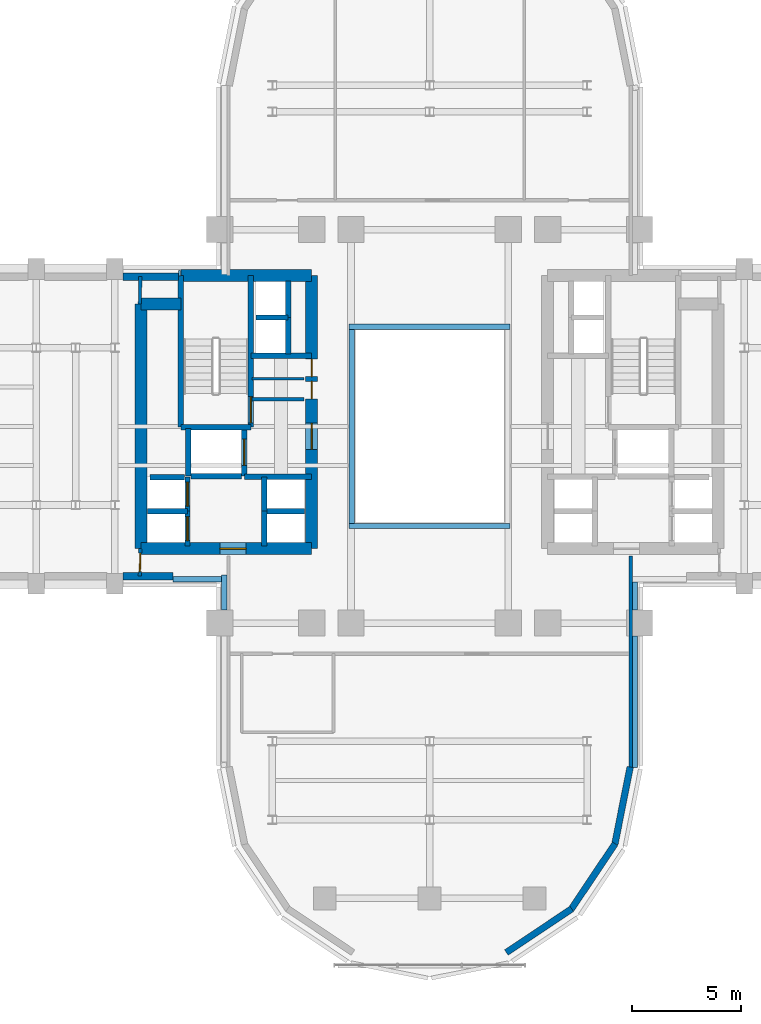
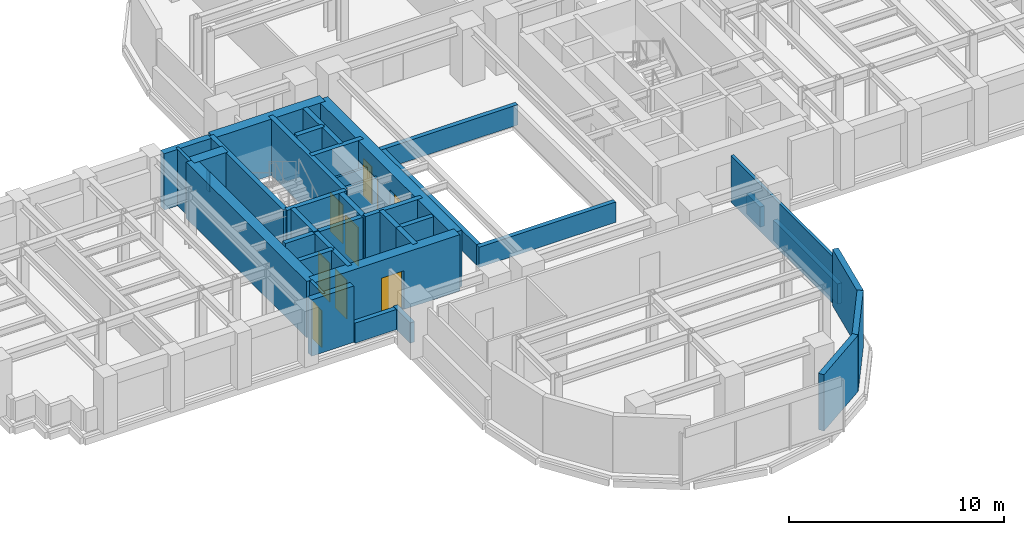
# One storey, part 9 of 14: 41 walls, 9 doors, 9 openings.
"""IFC4 building model written with IfcOpenShell, lengths in metres."""

from ifc_helpers import new_model, si_unit, direction, frame, frame_2d, origin, place, context, subcontext, project, spatial, rectangle, extrude, source, transform, mapped, material, layer, layer_set, type_object, element, fill, save


model = new_model("IFC4")

# Units and contexts
model_context = context("Model", 3, precision=1e-05, world=origin(), true_north=direction((0.0, 1.0)))
body_context = subcontext(model_context, "Body", "Model", "MODEL_VIEW")
ifc_project = project(units=[si_unit("LENGTHUNIT", "METRE"), si_unit("AREAUNIT", "SQUARE_METRE"), si_unit("VOLUMEUNIT", "CUBIC_METRE"), si_unit("PLANEANGLEUNIT", "RADIAN"), si_unit("MASSUNIT", "GRAM", prefix="KILO")], contexts=[model_context])

# Site, building, storey
site_placement = place(None, origin())
site = spatial("IfcSite", under=ifc_project, at=site_placement, CompositionType="ELEMENT")
building_placement = place(site_placement, origin())
building = spatial("IfcBuilding", under=site, at=building_placement, Name="Keilestroom Media Tower", CompositionType="ELEMENT")
storey_placement = place(building_placement, frame((0.0, 0.0, 44.199951171875)))
storey = spatial("IfcBuildingStorey", under=building, at=storey_placement, Name="L10", CompositionType="ELEMENT", Elevation=44.199951171875)

# Walls
ifc_material_1 = material(Name="Precast concrete C40/50", Category="concrete")
ifc_layer_1 = layer(ifc_material_1, 0.300048828125)
ifc_layer_set_1 = layer_set([ifc_layer_1], Name="Precast concrete C40/50")
wall_type_1 = type_object("IfcWallType", Name="Exterior-Masonry-Spandrel-Wall-300", PredefinedType="SOLIDWALL", material=ifc_layer_set_1)
wall_1_placement = place(storey_placement, frame((3.510009765625, -24.073486328125, 0.0), z_axis=(0.0, 0.0, 1.0), x_axis=(0.8314749531, 0.555562239868, 0.0)))
element("IfcWall", 1, at=wall_1_placement, inside=storey, type_object=wall_type_1, Name="L10 Lobe Facet Precast Frame Wall 10", PredefinedType="SOLIDWALL", context=body_context, shape_type="SweptSolid", body=[
    extrude(rectangle(XDim=3.59326171875, YDim=0.300048828125, at=frame_2d((1.796630859375, 0.0))), origin(), (0.0, 0.0, 1.0), 3.199951171875),
])
for number, where, z_axis, x_axis, name in (
    (2, (6.47705078125, -22.097900390625, 0.0), (0.0, 0.0, 1.0), (0.555574187116, 0.831466970246, 0.0), "L10 Lobe Facet Precast Frame Wall 11"),
    (3, (8.470703125, -19.12451171875, 0.0), (0.0, 0.0, 1.0), (0.195114232679, 0.980780523974, 0.0), "L10 Lobe Facet Precast Frame Wall 12"),
):
    element("IfcWall", number, at=place(storey_placement, frame(where, z_axis=z_axis, x_axis=x_axis)), inside=storey, type_object=wall_type_1, Name=name, PredefinedType="SOLIDWALL", context=body_context, shape_type="SweptSolid", body=[
        extrude(rectangle(XDim=3.608642578125, YDim=0.300048828125, at=frame_2d((1.80419921875, 0.0))), origin(), (0.0, 0.0, 1.0), 3.199951171875),
    ])
ifc_layer_2 = layer(ifc_material_1, 0.340087890625)
ifc_layer_set_2 = layer_set([ifc_layer_2], Name="Precast concrete C40/50")
wall_type_2 = type_object("IfcWallType", Name="Exterior-Masonry-Spandrel-Wall-340", PredefinedType="SOLIDWALL", material=ifc_layer_set_2)
wall_2_placement = place(storey_placement, frame((-14.032958984375, 6.85009765625, 0.0), z_axis=(0.0, 0.0, 1.0), x_axis=(1.0, 0.0, 0.0)))
element("IfcWall", 4, at=wall_2_placement, inside=storey, type_object=wall_type_2, Name="L10 Flank Masonry Wall EWL-L10-NW-4", PredefinedType="SOLIDWALL", context=body_context, shape_type="SweptSolid", body=[
    extrude(rectangle(XDim=2.534912109375, YDim=0.340087890625, at=frame_2d((1.267578125, 0.0))), origin(), (0.0, 0.0, 1.0), 3.199951171875),
])
wall_3_placement = place(storey_placement, frame((-14.032958984375, -6.85009765625, 0.0), z_axis=(0.0, 0.0, 1.0), x_axis=(1.0, 0.0, 0.0)))
element("IfcWall", 5, at=wall_3_placement, inside=storey, type_object=wall_type_2, Name="L10 Flank Masonry Wall EWL-L10-SW-4", PredefinedType="SOLIDWALL", context=body_context, shape_type="SweptSolid", body=[
    extrude(rectangle(XDim=2.282958984375, YDim=0.340087890625, at=frame_2d((1.1416015625, 0.0))), origin(), (0.0, 0.0, 1.0), 3.199951171875),
])
ifc_material_2 = material(Name="Gypsum Plasterboard & Steel Stud", Category="steel")
ifc_layer_3 = layer(ifc_material_2, 0.1201171875)
ifc_layer_set_3 = layer_set([ifc_layer_3], Name="Gypsum Plasterboard & Steel Stud")
wall_type_3 = type_object("IfcWallType", Name="Interior-Partition-Wall-120", PredefinedType="PARTITIONING", material=ifc_layer_set_3)
wall_4_placement = place(storey_placement, frame((-8.139892578125, 2.179931640625, 0.0), z_axis=(0.0, 0.0, 1.0), x_axis=(1.0, 0.0, 0.0)))
element("IfcWall", 6, at=wall_4_placement, inside=storey, type_object=wall_type_3, Name="L10 Interior Wall WP-L10-CNW-N", PredefinedType="PARTITIONING", context=body_context, shape_type="SweptSolid", body=[
    extrude(rectangle(XDim=2.389892578125, YDim=0.1201171875, at=frame_2d((1.19482421875, 0.0))), origin(), (0.0, 0.0, 1.0), 2.300048828125),
])
ifc_layer_4 = layer(ifc_material_2, 0.14990234375)
ifc_layer_set_4 = layer_set([ifc_layer_4], Name="Gypsum Plasterboard & Steel Stud")
wall_type_4 = type_object("IfcWallType", Name="Interior-Partition-Wall-150", PredefinedType="PARTITIONING", material=ifc_layer_set_4)
wall_5_placement = place(storey_placement, frame((-8.139892578125, 1.239990234375, 0.0), z_axis=(0.0, 0.0, 1.0), x_axis=(1.0, 0.0, 0.0)))
element("IfcWall", 7, at=wall_5_placement, inside=storey, type_object=wall_type_4, Name="L10 Interior Wall WP-L10-FFW-TOP", PredefinedType="PARTITIONING", context=body_context, shape_type="SweptSolid", body=[
    extrude(rectangle(XDim=2.389892578125, YDim=0.14990234375, at=frame_2d((1.19482421875, 0.0))), origin(), (0.0, 0.0, 1.0), 2.300048828125),
])
wall_6_placement = place(storey_placement, frame((9.199951171875, -15.679931640625, 0.0), z_axis=(0.0, 0.0, 1.0), x_axis=(0.0, 1.0, 0.0)))
element("IfcWall", 8, at=wall_6_placement, inside=storey, type_object=wall_type_4, Name="L10 Interior Wall WP-L10-SL-CHKE", PredefinedType="PARTITIONING", context=body_context, shape_type="SweptSolid", body=[
    extrude(rectangle(XDim=9.739990234375, YDim=0.14990234375, at=frame_2d((4.8701171875, 0.0))), origin(), (0.0, 0.0, 1.0), 2.650146484375),
])
wall_7_placement = place(storey_placement, frame((-13.260009765625, 5.60009765625, 0.0), z_axis=(0.0, 0.0, 1.0), x_axis=(0.016013571389, 0.999871774545, 0.0)))
element("IfcWall", 9, at=wall_7_placement, inside=storey, type_object=wall_type_4, Name="L10 Interior Wall WP-L10-WA-ENTN", PredefinedType="PARTITIONING", context=body_context, shape_type="SweptSolid", body=[
    extrude(rectangle(XDim=1.250244140625, YDim=0.14990234375, at=frame_2d((0.625, 0.0))), origin(), (0.0, 0.0, 1.0), 3.199951171875),
])

# Wall, opening, door
wall_8_placement = place(storey_placement, frame((-13.260009765625, -6.85009765625, 0.0), z_axis=(0.0, 0.0, 1.0), x_axis=(0.016013571389, 0.999871774545, 0.0)))
wall_8 = element("IfcWall", 10, at=wall_8_placement, inside=storey, type_object=wall_type_4, Name="L10 Interior Wall WP-L10-WA-ENTS", PredefinedType="PARTITIONING", context=body_context, shape_type="SweptSolid", body=[
    extrude(rectangle(XDim=1.250244140625, YDim=0.14990234375, at=frame_2d((0.625, 0.0))), origin(), (0.0, 0.0, 1.0), 3.199951171875),
])
opening_1_placement = place(wall_8_placement, frame((0.199951171875, 0.0, 0.0)))
opening_1 = element("IfcOpeningElement", 11, at=opening_1_placement, cuts=wall_8, Name="Opening DI-05", PredefinedType="OPENING", context=body_context, shape_type="SweptSolid", body=[
    extrude(rectangle(XDim=0.85009765625, YDim=2.10009765625, at=frame_2d((0.425048828125, 1.050048828125))), frame((0.0, 0.0849609375, 0.0), z_axis=(0.0, -1.0, 0.0), x_axis=(1.0, 0.0, 0.0)), (0.0, 0.0, 1.0), 0.169921875),
])
ifc_material_3 = material(Name="Moisture-Resistant Oak Leaf", Category="wood")
door_type_1 = type_object("IfcDoorType", Name="Interior-En-Suite-And-Cupboard-Door-DI-05", OperationType="NOTDEFINED", PredefinedType="DOOR", material=ifc_material_3)
shared_shape_1 = source(origin(), body_context, "Body", "SweptSolid", [
    extrude(rectangle(XDim=0.85009765625, YDim=2.10009765625, at=frame_2d((0.425048828125, 1.050048828125))), frame((0.0, 0.02490234375, 0.0), z_axis=(0.0, -1.0, 0.0), x_axis=(1.0, 0.0, 0.0)), (0.0, 0.0, 1.0), 0.050048828125),
])
door_1_placement = place(opening_1_placement, origin())
door_1 = element("IfcDoor", 12, at=door_1_placement, inside=storey, type_object=door_type_1, Name="L10 Interior Door DI-L10-DWA-E", OperationType="SINGLE_SWING_RIGHT", OverallHeight=2.10009765625, OverallWidth=0.85009765625, PredefinedType="DOOR", context=body_context, shape_type="MappedRepresentation", body=[
    mapped(shared_shape_1, transform((0.0, 0.0, 0.0), x_axis=(1.0, 0.0, 0.0), y_axis=(0.0, 1.0, 0.0), z_axis=(0.0, 0.0, 1.0), scale=1.0)),
])
fill(opening_1, door_1)

# Wall
ifc_material_4 = material(Name="Concrete C70/85", Category="concrete")
ifc_layer_5 = layer(ifc_material_4, 0.550048828125)
ifc_layer_set_5 = layer_set([ifc_layer_5], Name="Concrete C70/85")
wall_type_5 = type_object("IfcWallType", Name="Reinforced-Concrete-Core-Shear-Wall-550", PredefinedType="SHEAR", material=ifc_layer_set_5)
wall_9_placement = place(storey_placement, frame((-13.199951171875, -5.60009765625, 0.0), z_axis=(0.0, 0.0, 1.0), x_axis=(0.0, 1.0, 0.0)))
element("IfcWall", 13, at=wall_9_placement, inside=storey, type_object=wall_type_5, Name="L10 Core Shear Wall WL-L10-CORE-W-OUT", PredefinedType="SHEAR", context=body_context, shape_type="SweptSolid", body=[
    extrude(rectangle(XDim=11.2001953125, YDim=0.550048828125, at=frame_2d((5.60009765625, 0.0))), origin(), (0.0, 0.0, 1.0), 3.199951171875),
])

# Wall, openings, doors
wall_10_placement = place(storey_placement, frame((-5.39990234375, -5.60009765625, 0.0), z_axis=(0.0, 0.0, 1.0), x_axis=(0.0, 1.0, 0.0)))
wall_10 = element("IfcWall", 14, at=wall_10_placement, inside=storey, type_object=wall_type_5, Name="L10 Core Shear Wall WL-L10-CORE-W-IN", PredefinedType="SHEAR", context=body_context, shape_type="SweptSolid", body=[
    extrude(rectangle(XDim=12.5, YDim=0.550048828125, at=frame_2d((6.25, 0.0))), origin(), (0.0, 0.0, 1.0), 3.199951171875),
])
opening_2_placement = place(wall_10_placement, frame((4.550048828125, 0.0, 0.0)))
opening_2 = element("IfcOpeningElement", 15, at=opening_2_placement, cuts=wall_10, Name="Opening DI-02", PredefinedType="OPENING", context=body_context, shape_type="SweptSolid", body=[
    extrude(rectangle(XDim=1.199951171875, YDim=2.199951171875, at=frame_2d((0.60009765625, 1.10009765625))), frame((0.0, 0.28515625, 0.0), z_axis=(0.0, -1.0, 0.0), x_axis=(1.0, 0.0, 0.0)), (0.0, 0.0, 1.0), 0.570068359375),
])
opening_3_placement = place(wall_10_placement, frame((6.860107421875, 0.0, 0.0)))
opening_3 = element("IfcOpeningElement", 16, at=opening_3_placement, cuts=wall_10, Name="Opening DI-06", PredefinedType="OPENING", context=body_context, shape_type="SweptSolid", body=[
    extrude(rectangle(XDim=0.800048828125, YDim=2.10009765625, at=frame_2d((0.39990234375, 1.050048828125))), frame((0.0, 0.28515625, 0.0), z_axis=(0.0, -1.0, 0.0), x_axis=(1.0, 0.0, 0.0)), (0.0, 0.0, 1.0), 0.570068359375),
])
opening_4_placement = place(wall_10_placement, frame((7.8798828125, 0.0, 0.0)))
opening_4 = element("IfcOpeningElement", 17, at=opening_4_placement, cuts=wall_10, Name="Opening DI-06", PredefinedType="OPENING", context=body_context, shape_type="SweptSolid", body=[
    extrude(rectangle(XDim=0.800048828125, YDim=2.10009765625, at=frame_2d((0.39990234375, 1.050048828125))), frame((0.0, 0.28515625, 0.0), z_axis=(0.0, -1.0, 0.0), x_axis=(1.0, 0.0, 0.0)), (0.0, 0.0, 1.0), 0.570068359375),
])
ifc_material_5 = material(Name="Powder-Coated Steel Fire Leaf", Category="steel")
door_type_2 = type_object("IfcDoorType", Name="Interior-Compartment-Fire-Door-DI-02", OperationType="NOTDEFINED", PredefinedType="DOOR", material=ifc_material_5)
shared_shape_2 = source(origin(), body_context, "Body", "SweptSolid", [
    extrude(rectangle(XDim=1.199951171875, YDim=2.199951171875, at=frame_2d((0.60009765625, 1.10009765625))), frame((0.0, 0.02490234375, 0.0), z_axis=(0.0, -1.0, 0.0), x_axis=(1.0, 0.0, 0.0)), (0.0, 0.0, 1.0), 0.050048828125),
])
door_2_placement = place(opening_2_placement, origin())
door_2 = element("IfcDoor", 18, at=door_2_placement, inside=storey, type_object=door_type_2, Name="L10 W Firefighting Lobby Door", OperationType="SINGLE_SWING_RIGHT", OverallHeight=2.199951171875, OverallWidth=1.199951171875, PredefinedType="DOOR", context=body_context, shape_type="MappedRepresentation", body=[
    mapped(shared_shape_2, transform((0.0, 0.0, 0.0), x_axis=(1.0, 0.0, 0.0), y_axis=(0.0, 1.0, 0.0), z_axis=(0.0, 0.0, 1.0), scale=1.0)),
])
fill(opening_2, door_2)
ifc_material_6 = material(Name="Powder-Coated Steel Service Leaf", Category="steel")
door_type_3 = type_object("IfcDoorType", Name="Interior-Riser-Access-Door-DI-06", OperationType="NOTDEFINED", PredefinedType="DOOR", material=ifc_material_6)
shared_shape_3 = source(origin(), body_context, "Body", "SweptSolid", [
    extrude(rectangle(XDim=0.800048828125, YDim=2.10009765625, at=frame_2d((0.39990234375, 1.050048828125))), frame((0.0, 0.02490234375, 0.0), z_axis=(0.0, -1.0, 0.0), x_axis=(1.0, 0.0, 0.0)), (0.0, 0.0, 1.0), 0.050048828125),
])
door_3_placement = place(opening_3_placement, origin())
door_3 = element("IfcDoor", 19, at=door_3_placement, inside=storey, type_object=door_type_3, Name="L10 West Core Switchroom Door", OperationType="SINGLE_SWING_LEFT", OverallHeight=2.10009765625, OverallWidth=0.800048828125, PredefinedType="DOOR", context=body_context, shape_type="MappedRepresentation", body=[
    mapped(shared_shape_3, transform((0.0, 0.0, 0.0), x_axis=(1.0, 0.0, 0.0), y_axis=(0.0, 1.0, 0.0), z_axis=(0.0, 0.0, 1.0), scale=1.0)),
])
fill(opening_3, door_3)
door_4_placement = place(opening_4_placement, origin())
door_4 = element("IfcDoor", 20, at=door_4_placement, inside=storey, type_object=door_type_3, Name="L10 West Core Closet Door", OperationType="SINGLE_SWING_LEFT", OverallHeight=2.10009765625, OverallWidth=0.800048828125, PredefinedType="DOOR", context=body_context, shape_type="MappedRepresentation", body=[
    mapped(shared_shape_3, transform((0.0, 0.0, 0.0), x_axis=(1.0, 0.0, 0.0), y_axis=(0.0, 1.0, 0.0), z_axis=(0.0, 0.0, 1.0), scale=1.0)),
])
fill(opening_4, door_4)

# Walls
wall_11_placement = place(storey_placement, frame((-11.381103515625, 6.89990234375, 0.0), z_axis=(0.0, 0.0, 1.0), x_axis=(1.0, 0.0, 0.0)))
element("IfcWall", 21, at=wall_11_placement, inside=storey, type_object=wall_type_5, Name="L10 Core Shear Wall WL-L10-CORE-W-N", PredefinedType="SHEAR", context=body_context, shape_type="SweptSolid", body=[
    extrude(rectangle(XDim=5.981201171875, YDim=0.550048828125, at=frame_2d((2.99072265625, 0.0))), origin(), (0.0, 0.0, 1.0), 3.199951171875),
])
wall_12_placement = place(storey_placement, frame((-13.199951171875, 5.60009765625, 0.0), z_axis=(0.0, 0.0, 1.0), x_axis=(1.0, 0.0, 0.0)))
element("IfcWall", 22, at=wall_12_placement, inside=storey, type_object=wall_type_5, Name="L10 Core Shear Wall WL-L10-CNW-N", PredefinedType="SHEAR", context=body_context, shape_type="SweptSolid", body=[
    extrude(rectangle(XDim=1.81884765625, YDim=0.550048828125, at=frame_2d((0.909423828125, 0.0))), origin(), (0.0, 0.0, 1.0), 3.199951171875),
])

# Wall, opening, door
wall_13_placement = place(storey_placement, frame((-13.199951171875, -5.60009765625, 0.0), z_axis=(0.0, 0.0, 1.0), x_axis=(1.0, 0.0, 0.0)))
wall_13 = element("IfcWall", 23, at=wall_13_placement, inside=storey, type_object=wall_type_5, Name="L10 Core Shear Wall WL-L10-CORE-W-S", PredefinedType="SHEAR", context=body_context, shape_type="SweptSolid", body=[
    extrude(rectangle(XDim=7.800048828125, YDim=0.550048828125, at=frame_2d((3.89990234375, 0.0))), origin(), (0.0, 0.0, 1.0), 3.199951171875),
])
opening_5_placement = place(wall_13_placement, frame((3.60009765625, 0.0, 0.0)))
opening_5 = element("IfcOpeningElement", 24, at=opening_5_placement, cuts=wall_13, Name="Opening DI-02", PredefinedType="OPENING", context=body_context, shape_type="SweptSolid", body=[
    extrude(rectangle(XDim=1.199951171875, YDim=2.199951171875, at=frame_2d((0.60009765625, 1.10009765625))), frame((0.0, 0.28515625, 0.0), z_axis=(0.0, -1.0, 0.0), x_axis=(1.0, 0.0, 0.0)), (0.0, 0.0, 1.0), 0.570068359375),
])
door_5_placement = place(opening_5_placement, origin())
door_5 = element("IfcDoor", 25, at=door_5_placement, inside=storey, type_object=door_type_2, Name="L10 W Passenger Lift Lobby Door", OperationType="SINGLE_SWING_LEFT", OverallHeight=2.199951171875, OverallWidth=1.199951171875, PredefinedType="DOOR", context=body_context, shape_type="MappedRepresentation", body=[
    mapped(shared_shape_2, transform((0.0, 0.0, 0.0), x_axis=(1.0, 0.0, 0.0), y_axis=(0.0, 1.0, 0.0), z_axis=(0.0, 0.0, 1.0), scale=1.0)),
])
fill(opening_5, door_5)

# Walls
ifc_material_7 = material(Name="Concrete C50/60", Category="concrete")
ifc_layer_6 = layer(ifc_material_7, 0.25)
ifc_layer_set_6 = layer_set([ifc_layer_6], Name="Concrete C50/60")
wall_type_6 = type_object("IfcWallType", Name="Reinforced-Concrete-Shaft-Wall-250", PredefinedType="SOLIDWALL", material=ifc_layer_set_6)
wall_14_placement = place(storey_placement, frame((-8.179931640625, 3.219970703125, 0.0), z_axis=(0.0, 0.0, 1.0), x_axis=(1.0, 0.0, 0.0)))
element("IfcWall", 26, at=wall_14_placement, inside=storey, type_object=wall_type_6, Name="L10 Core Shear Wall WL-L10-CORE-W-FFN", PredefinedType="SOLIDWALL", context=body_context, shape_type="SweptSolid", body=[
    extrude(rectangle(XDim=2.780029296875, YDim=0.25, at=frame_2d((1.39013671875, 0.0))), origin(), (0.0, 0.0, 1.0), 3.199951171875),
])
wall_15_placement = place(storey_placement, frame((-8.47998046875, -2.300048828125, 0.0), z_axis=(0.0, 0.0, 1.0), x_axis=(1.0, 0.0, 0.0)))
element("IfcWall", 27, at=wall_15_placement, inside=storey, type_object=wall_type_6, Name="L10 Core Shear Wall WL-L10-CORE-W-FFS", PredefinedType="SOLIDWALL", context=body_context, shape_type="SweptSolid", body=[
    extrude(rectangle(XDim=3.080078125, YDim=0.25, at=frame_2d((1.5400390625, 0.0))), origin(), (0.0, 0.0, 1.0), 3.199951171875),
])

# Wall, opening, door
wall_16_placement = place(storey_placement, frame((-8.178955078125, -0.041015625, 0.0), z_axis=(0.0, 0.0, 1.0), x_axis=(0.0, 1.0, 0.0)))
wall_16 = element("IfcWall", 28, at=wall_16_placement, inside=storey, type_object=wall_type_6, Name="L10 Core Shear Wall WL-L10-STW-W-NEAR", PredefinedType="SOLIDWALL", context=body_context, shape_type="SweptSolid", body=[
    extrude(rectangle(XDim=6.94091796875, YDim=0.25, at=frame_2d((3.470458984375, 0.0))), origin(), (0.0, 0.0, 1.0), 3.199951171875),
])
opening_6_placement = place(wall_16_placement, frame((0.199951171875, 0.0, 0.0)))
opening_6 = element("IfcOpeningElement", 29, at=opening_6_placement, cuts=wall_16, Name="Opening DI-01S", PredefinedType="OPENING", context=body_context, shape_type="SweptSolid", body=[
    extrude(rectangle(XDim=1.199951171875, YDim=2.199951171875, at=frame_2d((0.60009765625, 1.10009765625))), frame((0.0, 0.135009765625, 0.0), z_axis=(0.0, -1.0, 0.0), x_axis=(1.0, 0.0, 0.0)), (0.0, 0.0, 1.0), 0.27001953125),
])
door_type_4 = type_object("IfcDoorType", Name="Interior-Stair-And-Core-Fire-Door-DI-01", OperationType="NOTDEFINED", PredefinedType="DOOR", material=ifc_material_5)
door_6_placement = place(opening_6_placement, origin())
door_6 = element("IfcDoor", 30, at=door_6_placement, inside=storey, type_object=door_type_4, Name="L10 Escape Stair ST-1 Fire Door", OperationType="SINGLE_SWING_LEFT", OverallHeight=2.199951171875, OverallWidth=1.199951171875, PredefinedType="DOOR", context=body_context, shape_type="MappedRepresentation", body=[
    mapped(shared_shape_2, transform((0.0, 0.0, 0.0), x_axis=(1.0, 0.0, 0.0), y_axis=(0.0, 1.0, 0.0), z_axis=(0.0, 0.0, 1.0), scale=1.0)),
])
fill(opening_6, door_6)

# Walls
wall_17_placement = place(storey_placement, frame((-11.381103515625, -0.041015625, 0.0), z_axis=(0.0, 0.0, 1.0), x_axis=(0.0, 1.0, 0.0)))
element("IfcWall", 31, at=wall_17_placement, inside=storey, type_object=wall_type_6, Name="L10 Core Shear Wall WL-L10-STW-W-FAR", PredefinedType="SOLIDWALL", context=body_context, shape_type="SweptSolid", body=[
    extrude(rectangle(XDim=6.94091796875, YDim=0.25, at=frame_2d((3.470458984375, 0.0))), origin(), (0.0, 0.0, 1.0), 3.199951171875),
])
wall_18_placement = place(storey_placement, frame((-11.381103515625, -0.041015625, 0.0), z_axis=(0.0, 0.0, 1.0), x_axis=(1.0, 0.0, 0.0)))
element("IfcWall", 32, at=wall_18_placement, inside=storey, type_object=wall_type_6, Name="L10 Core Shear Wall WL-L10-STW-W-S", PredefinedType="SOLIDWALL", context=body_context, shape_type="SweptSolid", body=[
    extrude(rectangle(XDim=3.2021484375, YDim=0.25, at=frame_2d((1.60107421875, 0.0))), origin(), (0.0, 0.0, 1.0), 3.199951171875),
])
wall_19_placement = place(storey_placement, frame((-11.050048828125, -2.280029296875, 0.0), z_axis=(0.0, 0.0, 1.0), x_axis=(0.0, 1.0, 0.0)))
element("IfcWall", 33, at=wall_19_placement, inside=storey, type_object=wall_type_6, Name="L10 Core Shear Wall WL-L10-LSH-FFL-1-W", PredefinedType="SOLIDWALL", context=body_context, shape_type="SweptSolid", body=[
    extrude(rectangle(XDim=2.179931640625, YDim=0.25, at=frame_2d((1.08984375, 0.0))), origin(), (0.0, 0.0, 1.0), 3.199951171875),
])

# Wall, opening, door
wall_20_placement = place(storey_placement, frame((-8.47998046875, -2.280029296875, 0.0), z_axis=(0.0, 0.0, 1.0), x_axis=(0.0, 1.0, 0.0)))
wall_20 = element("IfcWall", 34, at=wall_20_placement, inside=storey, type_object=wall_type_6, Name="L10 Core Shear Wall WL-L10-LSH-FFL-1-E", PredefinedType="SOLIDWALL", context=body_context, shape_type="SweptSolid", body=[
    extrude(rectangle(XDim=2.179931640625, YDim=0.25, at=frame_2d((1.08984375, 0.0))), origin(), (0.0, 0.0, 1.0), 3.199951171875),
])
opening_7_placement = place(wall_20_placement, frame((0.489990234375, 0.0, 0.0)))
opening_7 = element("IfcOpeningElement", 35, at=opening_7_placement, cuts=wall_20, Name="Opening LD-02", PredefinedType="OPENING", context=body_context, shape_type="SweptSolid", body=[
    extrude(rectangle(XDim=1.199951171875, YDim=2.199951171875, at=frame_2d((0.60009765625, 1.10009765625))), frame((0.0, 0.135009765625, 0.0), z_axis=(0.0, -1.0, 0.0), x_axis=(1.0, 0.0, 0.0)), (0.0, 0.0, 1.0), 0.27001953125),
])
ifc_material_8 = material(Name="Brushed Stainless Steel Sliding Leaf", Category="steel")
door_type_5 = type_object("IfcDoorType", Name="Lift-Landing-Sliding-Door-LD-02", OperationType="SLIDING_TO_RIGHT", PredefinedType="DOOR", material=ifc_material_8)
door_7_placement = place(opening_7_placement, origin())
door_7 = element("IfcDoor", 36, at=door_7_placement, inside=storey, type_object=door_type_5, Name="L10 Lift FFL-1 Landing Sliding Door", OperationType="SLIDING_TO_RIGHT", OverallHeight=2.199951171875, OverallWidth=1.199951171875, PredefinedType="DOOR", context=body_context, shape_type="MappedRepresentation", body=[
    mapped(shared_shape_2, transform((0.0, 0.0, 0.0), x_axis=(1.0, 0.0, 0.0), y_axis=(0.0, 1.0, 0.0), z_axis=(0.0, 0.0, 1.0), scale=1.0)),
])
fill(opening_7, door_7)

# Wall
wall_21_placement = place(storey_placement, frame((-10.9208984375, -2.280029296875, 0.0), z_axis=(0.0, 0.0, 1.0), x_axis=(1.0, 0.0, 0.0)))
element("IfcWall", 37, at=wall_21_placement, inside=storey, type_object=wall_type_6, Name="L10 Core Shear Wall WL-L10-LSH-FFL-1-S", PredefinedType="SOLIDWALL", context=body_context, shape_type="SweptSolid", body=[
    extrude(rectangle(XDim=2.31201171875, YDim=0.25, at=frame_2d((1.156005859375, 0.0))), origin(), (0.0, 0.0, 1.0), 3.199951171875),
])

# Wall, opening, door
wall_22_placement = place(storey_placement, frame((-11.080078125, -5.47998046875, 0.0), z_axis=(0.0, 0.0, 1.0), x_axis=(0.0, 1.0, 0.0)))
wall_22 = element("IfcWall", 38, at=wall_22_placement, inside=storey, type_object=wall_type_6, Name="L10 Core Shear Wall WL-L10-LSH-PL-L1-E", PredefinedType="SOLIDWALL", context=body_context, shape_type="SweptSolid", body=[
    extrude(rectangle(XDim=1.60009765625, YDim=0.25, at=frame_2d((0.800048828125, 0.0))), origin(), (0.0, 0.0, 1.0), 3.199951171875),
])
opening_8_placement = place(wall_22_placement, frame((0.25, 0.0, 0.0)))
opening_8 = element("IfcOpeningElement", 39, at=opening_8_placement, cuts=wall_22, Name="Opening LD-01", PredefinedType="OPENING", context=body_context, shape_type="SweptSolid", body=[
    extrude(rectangle(XDim=1.10009765625, YDim=2.199951171875, at=frame_2d((0.550048828125, 1.10009765625))), frame((0.0, 0.135009765625, 0.0), z_axis=(0.0, -1.0, 0.0), x_axis=(1.0, 0.0, 0.0)), (0.0, 0.0, 1.0), 0.27001953125),
])
door_type_6 = type_object("IfcDoorType", Name="Lift-Landing-Sliding-Door-LD-01", OperationType="SLIDING_TO_LEFT", PredefinedType="DOOR", material=ifc_material_8)
shared_shape_4 = source(origin(), body_context, "Body", "SweptSolid", [
    extrude(rectangle(XDim=1.10009765625, YDim=2.199951171875, at=frame_2d((0.550048828125, 1.10009765625))), frame((0.0, 0.02490234375, 0.0), z_axis=(0.0, -1.0, 0.0), x_axis=(1.0, 0.0, 0.0)), (0.0, 0.0, 1.0), 0.050048828125),
])
door_8_placement = place(opening_8_placement, origin())
door_8 = element("IfcDoor", 40, at=door_8_placement, inside=storey, type_object=door_type_6, Name="L10 Lift PL-L1 Landing Sliding Door", OperationType="SLIDING_TO_LEFT", OverallHeight=2.199951171875, OverallWidth=1.10009765625, PredefinedType="DOOR", context=body_context, shape_type="MappedRepresentation", body=[
    mapped(shared_shape_4, transform((0.0, 0.0, 0.0), x_axis=(1.0, 0.0, 0.0), y_axis=(0.0, 1.0, 0.0), z_axis=(0.0, 0.0, 1.0), scale=1.0)),
])
fill(opening_8, door_8)

# Wall
wall_23_placement = place(storey_placement, frame((-12.919921875, -3.8798828125, 0.0), z_axis=(0.0, 0.0, 1.0), x_axis=(1.0, 0.0, 0.0)))
element("IfcWall", 41, at=wall_23_placement, inside=storey, type_object=wall_type_6, Name="L10 Core Shear Wall WL-L10-LSH-PL-L1-N", PredefinedType="SOLIDWALL", context=body_context, shape_type="SweptSolid", body=[
    extrude(rectangle(XDim=1.83984375, YDim=0.25, at=frame_2d((0.919921875, 0.0))), origin(), (0.0, 0.0, 1.0), 3.199951171875),
])

# Wall, opening, door
wall_24_placement = place(storey_placement, frame((-11.080078125, -3.8798828125, 0.0), z_axis=(0.0, 0.0, 1.0), x_axis=(0.0, 1.0, 0.0)))
wall_24 = element("IfcWall", 42, at=wall_24_placement, inside=storey, type_object=wall_type_6, Name="L10 Core Shear Wall WL-L10-LSH-PL-L2-E", PredefinedType="SOLIDWALL", context=body_context, shape_type="SweptSolid", body=[
    extrude(rectangle(XDim=1.559814453125, YDim=0.25, at=frame_2d((0.77978515625, 0.0))), origin(), (0.0, 0.0, 1.0), 3.199951171875),
])
opening_9_placement = place(wall_24_placement, frame((0.22998046875, 0.0, 0.0)))
opening_9 = element("IfcOpeningElement", 43, at=opening_9_placement, cuts=wall_24, Name="Opening LD-01", PredefinedType="OPENING", context=body_context, shape_type="SweptSolid", body=[
    extrude(rectangle(XDim=1.10009765625, YDim=2.199951171875, at=frame_2d((0.550048828125, 1.10009765625))), frame((0.0, 0.135009765625, 0.0), z_axis=(0.0, -1.0, 0.0), x_axis=(1.0, 0.0, 0.0)), (0.0, 0.0, 1.0), 0.27001953125),
])
door_9_placement = place(opening_9_placement, origin())
door_9 = element("IfcDoor", 44, at=door_9_placement, inside=storey, type_object=door_type_6, Name="L10 Lift PL-L2 Landing Sliding Door", OperationType="SLIDING_TO_LEFT", OverallHeight=2.199951171875, OverallWidth=1.10009765625, PredefinedType="DOOR", context=body_context, shape_type="MappedRepresentation", body=[
    mapped(shared_shape_4, transform((0.0, 0.0, 0.0), x_axis=(1.0, 0.0, 0.0), y_axis=(0.0, 1.0, 0.0), z_axis=(0.0, 0.0, 1.0), scale=1.0)),
])
fill(opening_9, door_9)

# Walls
wall_25_placement = place(storey_placement, frame((-12.791015625, -2.320068359375, 0.0), z_axis=(0.0, 0.0, 1.0), x_axis=(1.0, 0.0, 0.0)))
element("IfcWall", 45, at=wall_25_placement, inside=storey, type_object=wall_type_6, Name="L10 Core Shear Wall WL-L10-LSH-PL-L2-N", PredefinedType="SOLIDWALL", context=body_context, shape_type="SweptSolid", body=[
    extrude(rectangle(XDim=1.58203125, YDim=0.25, at=frame_2d((0.791015625, 0.0))), origin(), (0.0, 0.0, 1.0), 3.199951171875),
])
wall_26_placement = place(storey_placement, frame((-7.56005859375, -5.47998046875, 0.0), z_axis=(0.0, 0.0, 1.0), x_axis=(0.0, 1.0, 0.0)))
element("IfcWall", 46, at=wall_26_placement, inside=storey, type_object=wall_type_6, Name="L10 Core Shear Wall WL-L10-LSH-PL-M1-W", PredefinedType="SOLIDWALL", context=body_context, shape_type="SweptSolid", body=[
    extrude(rectangle(XDim=1.60009765625, YDim=0.25, at=frame_2d((0.800048828125, 0.0))), origin(), (0.0, 0.0, 1.0), 3.199951171875),
])
wall_27_placement = place(storey_placement, frame((-7.56005859375, -3.8798828125, 0.0), z_axis=(0.0, 0.0, 1.0), x_axis=(1.0, 0.0, 0.0)))
element("IfcWall", 47, at=wall_27_placement, inside=storey, type_object=wall_type_6, Name="L10 Core Shear Wall WL-L10-LSH-PL-M1-N", PredefinedType="SOLIDWALL", context=body_context, shape_type="SweptSolid", body=[
    extrude(rectangle(XDim=1.840087890625, YDim=0.25, at=frame_2d((0.919921875, 0.0))), origin(), (0.0, 0.0, 1.0), 3.199951171875),
])
wall_28_placement = place(storey_placement, frame((-7.56005859375, -3.8798828125, 0.0), z_axis=(0.0, 0.0, 1.0), x_axis=(0.0, 1.0, 0.0)))
element("IfcWall", 48, at=wall_28_placement, inside=storey, type_object=wall_type_6, Name="L10 Core Shear Wall WL-L10-LSH-PL-M2-W", PredefinedType="SOLIDWALL", context=body_context, shape_type="SweptSolid", body=[
    extrude(rectangle(XDim=1.559814453125, YDim=0.25, at=frame_2d((0.77978515625, 0.0))), origin(), (0.0, 0.0, 1.0), 3.199951171875),
])
wall_29_placement = place(storey_placement, frame((-6.47998046875, 3.300048828125, 0.0), z_axis=(0.0, 0.0, 1.0), x_axis=(0.0, 1.0, 0.0)))
element("IfcWall", 49, at=wall_29_placement, inside=storey, type_object=wall_type_6, Name="L10 Core Shear Wall WL-L10-LSH-PL-H1-E", PredefinedType="SOLIDWALL", context=body_context, shape_type="SweptSolid", body=[
    extrude(rectangle(XDim=1.679931640625, YDim=0.25, at=frame_2d((0.83984375, 0.0))), origin(), (0.0, 0.0, 1.0), 3.199951171875),
])
wall_30_placement = place(storey_placement, frame((-7.949951171875, 4.97998046875, 0.0), z_axis=(0.0, 0.0, 1.0), x_axis=(1.0, 0.0, 0.0)))
element("IfcWall", 50, at=wall_30_placement, inside=storey, type_object=wall_type_6, Name="L10 Core Shear Wall WL-L10-LSH-PL-H1-N", PredefinedType="SOLIDWALL", context=body_context, shape_type="SweptSolid", body=[
    extrude(rectangle(XDim=1.469970703125, YDim=0.25, at=frame_2d((0.73486328125, 0.0))), origin(), (0.0, 0.0, 1.0), 3.199951171875),
])
wall_31_placement = place(storey_placement, frame((-6.47998046875, 4.97998046875, 0.0), z_axis=(0.0, 0.0, 1.0), x_axis=(0.0, 1.0, 0.0)))
element("IfcWall", 51, at=wall_31_placement, inside=storey, type_object=wall_type_6, Name="L10 Core Shear Wall WL-L10-LSH-PL-H2-E", PredefinedType="SOLIDWALL", context=body_context, shape_type="SweptSolid", body=[
    extrude(rectangle(XDim=1.669921875, YDim=0.25, at=frame_2d((0.8349609375, 0.0))), origin(), (0.0, 0.0, 1.0), 3.199951171875),
])
ifc_layer_7 = layer(ifc_material_1, 0.239990234375)
ifc_layer_set_7 = layer_set([ifc_layer_7], Name="Precast concrete C40/50")
wall_type_7 = type_object("IfcWallType", Name="Roof-And-Terrace-Parapet-Wall-240", PredefinedType="PARAPET", material=ifc_layer_set_7)
wall_32_placement = place(storey_placement, frame((9.39990234375, -7.123046875, 0.0), z_axis=(0.0, 0.0, 1.0), x_axis=(0.0, -1.0, 0.0)))
element("IfcWall", 52, at=wall_32_placement, inside=storey, type_object=wall_type_7, Name="L10 Perimeter Edge Parapet Wall 07", PredefinedType="PARAPET", context=body_context, shape_type="SweptSolid", body=[
    extrude(rectangle(XDim=1.27392578125, YDim=0.239990234375, at=frame_2d((0.636962890625, 0.0))), origin(), (0.0, 0.0, 1.0), 1.150146484375),
])
wall_33_placement = place(storey_placement, frame((9.39990234375, -9.60302734375, 0.0), z_axis=(0.0, 0.0, 1.0), x_axis=(0.0, -1.0, 0.0)))
element("IfcWall", 53, at=wall_33_placement, inside=storey, type_object=wall_type_7, Name="L10 Perimeter Edge Parapet Wall 08", PredefinedType="PARAPET", context=body_context, shape_type="SweptSolid", body=[
    extrude(rectangle(XDim=5.999755859375, YDim=0.239990234375, at=frame_2d((3.0, 0.0))), origin(), (0.0, 0.0, 1.0), 1.150146484375),
])
wall_34_placement = place(storey_placement, frame((-9.39990234375, -8.39697265625, 0.0), z_axis=(0.0, 0.0, 1.0), x_axis=(0.0, 1.0, 0.0)))
element("IfcWall", 54, at=wall_34_placement, inside=storey, type_object=wall_type_7, Name="L10 Perimeter Edge Parapet Wall 11", PredefinedType="PARAPET", context=body_context, shape_type="SweptSolid", body=[
    extrude(rectangle(XDim=1.596923828125, YDim=0.239990234375, at=frame_2d((0.79833984375, 0.0))), origin(), (0.0, 0.0, 1.0), 1.150146484375),
])
wall_35_placement = place(storey_placement, frame((-9.52294921875, -7.0, 0.0), z_axis=(0.0, 0.0, 1.0), x_axis=(-1.0, 0.0, 0.0)))
element("IfcWall", 55, at=wall_35_placement, inside=storey, type_object=wall_type_7, Name="L10 Perimeter Edge Parapet Wall 12", PredefinedType="PARAPET", context=body_context, shape_type="SweptSolid", body=[
    extrude(rectangle(XDim=2.22412109375, YDim=0.239990234375, at=frame_2d((1.112060546875, 0.0))), origin(), (0.0, 0.0, 1.0), 1.150146484375),
])
wall_36_placement = place(storey_placement, frame((-11.4951171875, 7.0, 0.0), z_axis=(0.0, 0.0, 1.0), x_axis=(1.0, 0.0, 0.0)))
element("IfcWall", 56, at=wall_36_placement, inside=storey, type_object=wall_type_7, Name="L10 Perimeter Edge Parapet Wall 27", PredefinedType="PARAPET", context=body_context, shape_type="SweptSolid", body=[
    extrude(rectangle(XDim=0.092041015625, YDim=0.239990234375, at=frame_2d((0.0458984375, 0.0))), origin(), (0.0, 0.0, 1.0), 1.150146484375),
])
for number, where, z_axis, x_axis, name in (
    (57, (-3.679931640625, -4.56005859375, 0.0), (0.0, 0.0, 1.0), (1.0, 0.0, 0.0), "L10 Central Atrium Guard Parapet S"),
    (58, (-3.679931640625, 4.56005859375, 0.0), (0.0, 0.0, 1.0), (1.0, 0.0, 0.0), "L10 Central Atrium Guard Parapet N"),
):
    element("IfcWall", number, at=place(storey_placement, frame(where, z_axis=z_axis, x_axis=x_axis)), inside=storey, type_object=wall_type_7, Name=name, PredefinedType="PARAPET", context=body_context, shape_type="SweptSolid", body=[
        extrude(rectangle(XDim=7.35986328125, YDim=0.239990234375, at=frame_2d((3.679931640625, 0.0))), origin(), (0.0, 0.0, 1.0), 1.150146484375),
    ])
wall_37_placement = place(storey_placement, frame((-3.56005859375, -4.43505859375, 0.0), z_axis=(0.0, 0.0, 1.0), x_axis=(0.0, 1.0, 0.0)))
element("IfcWall", 59, at=wall_37_placement, inside=storey, type_object=wall_type_7, Name="L10 Central Atrium Guard Parapet W", PredefinedType="PARAPET", context=body_context, shape_type="SweptSolid", body=[
    extrude(rectangle(XDim=8.8701171875, YDim=0.239990234375, at=frame_2d((4.43505859375, 0.0))), origin(), (0.0, 0.0, 1.0), 1.150146484375),
])

save(model, "model.ifc")
